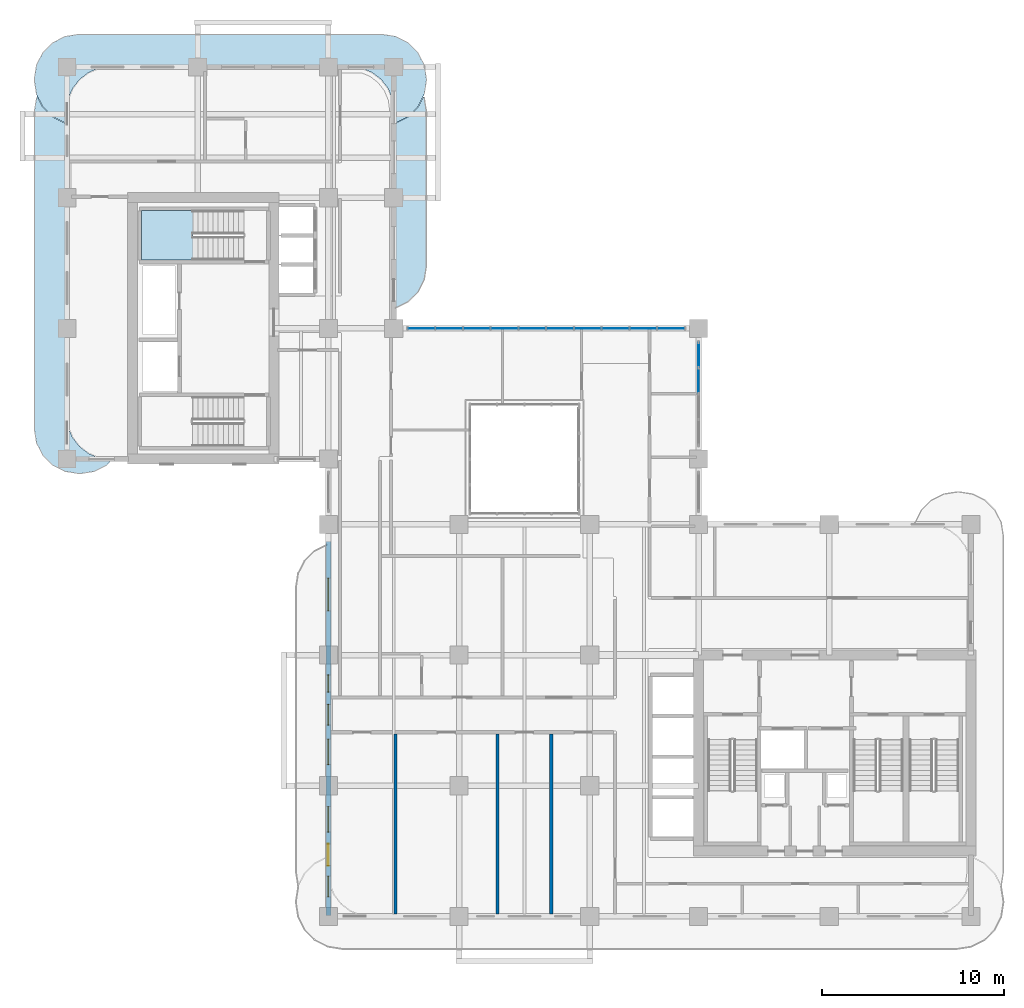
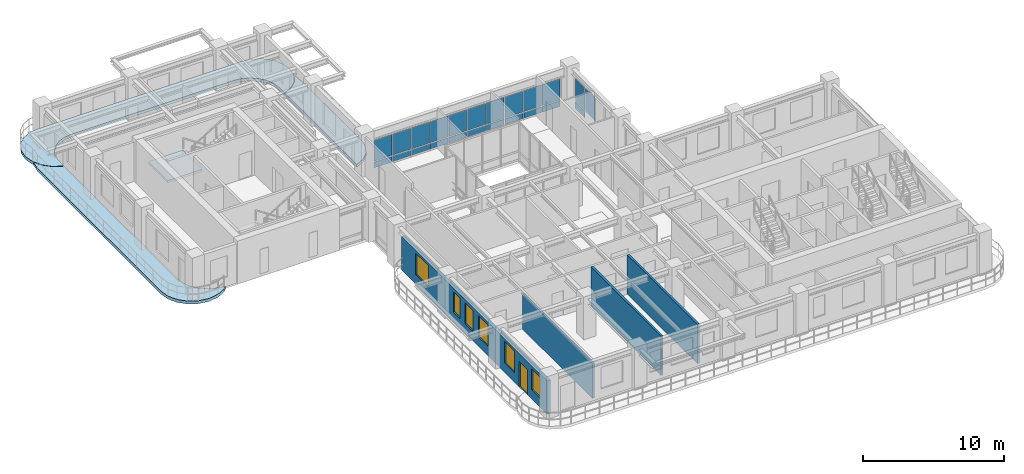
# One storey, part 10 of 21: 23 plates, 6 windows, 4 slabs, 4 walls, 1 door, 7 openings, 3 elements without a shape of their own.
"""IFC4 building model written with IfcOpenShell, lengths in metres."""

from ifc_helpers import new_model, si_unit, derived_unit, direction, frame, frame_2d, origin, origin_2d, place, context, subcontext, project, spatial, polyline, rectangle, outline, extrude, source, transform, mapped, material, layer, layer_set, type_object, type_shapes, element, fill, aggregate, save


model = new_model("IFC4")

# Units and contexts
model_context = context("Model", 3, precision=1e-05, world=origin(), true_north=direction((0.0, 1.0)))
body_context = subcontext(model_context, "Body", "Model", "MODEL_VIEW")
ifc_project = project(units=[si_unit("LENGTHUNIT", "METRE"), si_unit("AREAUNIT", "SQUARE_METRE"), si_unit("VOLUMEUNIT", "CUBIC_METRE"), si_unit("PLANEANGLEUNIT", "RADIAN"), si_unit("MASSUNIT", "GRAM", prefix="KILO"), si_unit("THERMODYNAMICTEMPERATUREUNIT", "KELVIN"), si_unit("POWERUNIT", "WATT"), derived_unit("THERMALTRANSMITTANCEUNIT", [(si_unit("POWERUNIT", "WATT"), 1), (si_unit("AREAUNIT", "SQUARE_METRE"), -1), (si_unit("THERMODYNAMICTEMPERATUREUNIT", "KELVIN"), -1)])], contexts=[model_context])

# Site, building, storey
site_placement = place(None, origin())
site = spatial("IfcSite", under=ifc_project, at=site_placement, CompositionType="ELEMENT")
building_placement = place(site_placement, origin())
building = spatial("IfcBuilding", under=site, at=building_placement, Name="Zahravan Archway Hotel and Residences", CompositionType="ELEMENT")
storey_placement = place(building_placement, frame((0.0, 0.0, 141.39990234375)))
storey = spatial("IfcBuildingStorey", under=building, at=storey_placement, Name="L35", CompositionType="ELEMENT", Elevation=141.39990234375)

# Slabs
ifc_material_1 = material(Name="Concrete C45/55", Category="concrete")
ifc_layer_1 = layer(ifc_material_1, 0.25, Name="Concrete C45/55", Category="concrete")
ifc_layer_set_1 = layer_set([ifc_layer_1], Name="Concrete C45/55")
slab_type_1 = type_object("IfcSlabType", Name="SLB-BALC-250", PredefinedType="FLOOR", material=ifc_layer_set_1)
slab_1_placement = place(storey_placement, frame((0.0, 0.0, -0.25)))
element("IfcSlab", 1, at=slab_1_placement, inside=storey, type_object=slab_type_1, Name="L35 Wing B North Rounded Balcony Band", PredefinedType="FLOOR", context=body_context, shape_type="SweptSolid", body=[
    extrude(outline(polyline([(-0.107177734375, 43.719970703125), (-0.7900390625, 44.06787109375), (-1.33203125, 44.60986328125), (-1.68017578125, 45.29296875), (-1.800048828125, 46.050048828125), (-1.800048828125, 46.14990234375), (-1.68017578125, 46.906982421875), (-1.33203125, 47.590087890625), (-0.7900390625, 48.132080078125), (-0.107177734375, 48.47998046875), (0.64990234375, 48.60009765625), (17.35009765625, 48.60009765625), (18.107177734375, 48.47998046875), (18.7900390625, 48.132080078125), (19.33203125, 47.590087890625), (19.68017578125, 46.906982421875), (19.800048828125, 46.14990234375), (19.800048828125, 46.050048828125), (19.68017578125, 45.29296875), (19.33203125, 44.60986328125), (18.7900390625, 44.06787109375), (18.107177734375, 43.719970703125), (18.02001953125, 43.7060546875), (18.02001953125, 44.39990234375), (18.019775390625, 44.402587890625), (17.93798828125, 45.023681640625), (17.937744140625, 45.025390625), (17.937255859375, 45.027099609375), (17.936767578125, 45.02880859375), (17.697021484375, 45.607666015625), (17.6962890625, 45.609130859375), (17.6953125, 45.610595703125), (17.6943359375, 45.6123046875), (17.31298828125, 46.109375), (17.311767578125, 46.110595703125), (17.310546875, 46.11181640625), (17.309326171875, 46.113037109375), (16.812255859375, 46.494384765625), (16.810791015625, 46.495361328125), (16.80908203125, 46.49609375), (16.8076171875, 46.4970703125), (16.22900390625, 46.73681640625), (16.227294921875, 46.7373046875), (16.2255859375, 46.73779296875), (16.223876953125, 46.738037109375), (15.6025390625, 46.81982421875), (15.60009765625, 46.820068359375), (2.39990234375, 46.820068359375), (2.3974609375, 46.81982421875), (1.776123046875, 46.738037109375), (1.7744140625, 46.73779296875), (1.772705078125, 46.7373046875), (1.77099609375, 46.73681640625), (1.1923828125, 46.4970703125), (1.19091796875, 46.49609375), (1.189208984375, 46.495361328125), (1.187744140625, 46.494384765625), (0.690673828125, 46.113037109375), (0.689453125, 46.11181640625), (0.688232421875, 46.110595703125), (0.68701171875, 46.109375), (0.3056640625, 45.6123046875), (0.3046875, 45.610595703125), (0.3037109375, 45.609130859375), (0.302978515625, 45.607666015625), (0.063232421875, 45.02880859375), (0.062744140625, 45.027099609375), (0.062255859375, 45.025390625), (0.06201171875, 45.023681640625), (-0.019775390625, 44.402587890625), (-0.02001953125, 44.39990234375), (-0.02001953125, 43.7060546875), (-0.107177734375, 43.719970703125)])), origin(), (0.0, 0.0, 1.0), 0.25),
])
slab_2_placement = place(storey_placement, frame((0.0, 0.0, -0.25)))
element("IfcSlab", 2, at=slab_2_placement, inside=storey, type_object=slab_type_1, Name="L35 Wing B West Rounded Balcony Band", PredefinedType="FLOOR", context=body_context, shape_type="SweptSolid", body=[
    extrude(outline(polyline([(2.190185546875, 24.867919921875), (1.507080078125, 24.52001953125), (0.75, 24.39990234375), (0.64990234375, 24.39990234375), (-0.107177734375, 24.52001953125), (-0.7900390625, 24.867919921875), (-1.33203125, 25.409912109375), (-1.68017578125, 26.093017578125), (-1.800048828125, 26.85009765625), (-1.800048828125, 44.35009765625), (-1.68017578125, 45.107177734375), (-1.64404296875, 45.177978515625), (-1.349853515625, 44.600830078125), (-1.348876953125, 44.59912109375), (-1.34765625, 44.597412109375), (-1.34619140625, 44.595703125), (-0.80419921875, 44.0537109375), (-0.802734375, 44.052490234375), (-0.801025390625, 44.051025390625), (-0.79931640625, 44.050048828125), (-0.1162109375, 43.7021484375), (-0.1142578125, 43.701171875), (-0.1123046875, 43.70068359375), (-0.110107421875, 43.7001953125), (-0.023193359375, 43.686279296875), (-0.021240234375, 43.68603515625), (-0.02001953125, 43.68603515625), (-0.02001953125, 27.60009765625), (-0.019775390625, 27.597412109375), (0.06201171875, 26.976318359375), (0.062255859375, 26.974609375), (0.062744140625, 26.972900390625), (0.063232421875, 26.97119140625), (0.302978515625, 26.392333984375), (0.3037109375, 26.390869140625), (0.3046875, 26.389404296875), (0.3056640625, 26.3876953125), (0.68701171875, 25.890625), (0.688232421875, 25.889404296875), (0.689453125, 25.88818359375), (0.690673828125, 25.886962890625), (1.187744140625, 25.505615234375), (1.189208984375, 25.504638671875), (1.19091796875, 25.50390625), (1.1923828125, 25.5029296875), (1.77099609375, 25.26318359375), (1.772705078125, 25.2626953125), (1.7744140625, 25.26220703125), (1.776123046875, 25.261962890625), (2.3974609375, 25.18017578125), (2.39990234375, 25.179931640625), (2.502197265625, 25.179931640625), (2.190185546875, 24.867919921875)])), origin(), (0.0, 0.0, 1.0), 0.25),
])
slab_3_placement = place(storey_placement, frame((0.0, 0.0, -0.25)))
element("IfcSlab", 3, at=slab_3_placement, inside=storey, type_object=slab_type_1, Name="L35 Wing B East Rounded Balcony Band", PredefinedType="FLOOR", context=body_context, shape_type="SweptSolid", body=[
    extrude(outline(polyline([(19.68017578125, 45.107177734375), (19.800048828125, 44.35009765625), (19.800048828125, 35.85009765625), (19.68017578125, 35.093017578125), (19.33203125, 34.409912109375), (18.7900390625, 33.867919921875), (18.107177734375, 33.52001953125), (18.02001953125, 33.506103515625), (18.02001953125, 43.68603515625), (18.021240234375, 43.68603515625), (18.023193359375, 43.686279296875), (18.110107421875, 43.7001953125), (18.1123046875, 43.70068359375), (18.1142578125, 43.701171875), (18.1162109375, 43.7021484375), (18.79931640625, 44.050048828125), (18.801025390625, 44.051025390625), (18.802734375, 44.052490234375), (18.80419921875, 44.0537109375), (19.34619140625, 44.595703125), (19.34765625, 44.597412109375), (19.348876953125, 44.59912109375), (19.349853515625, 44.600830078125), (19.64404296875, 45.177978515625), (19.68017578125, 45.107177734375)])), origin(), (0.0, 0.0, 1.0), 0.25),
])

# Stair, slab
ifc_material_2 = material(Name="Concrete C50/60", Category="concrete")
stair_type = type_object("IfcStairType", Name="STR-CORE-1300", PredefinedType="HALF_TURN_STAIR", material=ifc_material_2)
stair_placement = place(storey_placement, origin())
stair = element("IfcStair", 4, at=stair_placement, inside=storey, type_object=stair_type, Name="L35 Core B Exit Stair 2", PredefinedType="HALF_TURN_STAIR")
ifc_layer_2 = layer(ifc_material_2, 0.199951171875, Name="Concrete C50/60", Category="concrete")
ifc_layer_set_2 = layer_set([ifc_layer_2], Name="Concrete C50/60")
slab_type_2 = type_object("IfcSlabType", Name="SLB-LND-200", PredefinedType="LANDING", material=ifc_layer_set_2)
slab_4_placement = place(storey_placement, frame((0.0, 0.0, 1.650146484375)))
slab_4 = element("IfcSlab", 5, at=slab_4_placement, type_object=slab_type_2, Name="ST-B2 landing 1", PredefinedType="LANDING", context=body_context, shape_type="SweptSolid", body=[
    extrude(outline(polyline([(6.929931640625, 38.89990234375), (4.10009765625, 38.89990234375), (4.10009765625, 36.159912109375), (6.929931640625, 36.159912109375), (6.929931640625, 38.89990234375)])), origin(), (0.0, 0.0, 1.0), 0.199951171875),
])
aggregate(stair, [slab_4])

# Curtain wall, plates
ifc_material_3 = material(Name="Bronze-Anodized Unitised Aluminium & Low-E Glass", Category="aluminium")
ifc_layer_3 = layer(ifc_material_3, 0.179931640625, Name="Bronze-Anodized Unitised Aluminium & Low-E Glass", Category="aluminium")
ifc_layer_set_3 = layer_set([ifc_layer_3], Name="Bronze-Anodized Unitised Aluminium & Low-E Glass")
curtain_wall_type = type_object("IfcCurtainWallType", Name="CW-ATR-GLAZ", PredefinedType="NOTDEFINED", material=ifc_layer_set_3)
curtain_wall_1_placement = place(storey_placement, origin())
curtain_wall_1 = element("IfcCurtainWall", 6, at=curtain_wall_1_placement, inside=storey, type_object=curtain_wall_type, Name="L35 Curtain Wall CW-L35-HNG-E-2", PredefinedType="NOTDEFINED")
ifc_material_4 = material(Name="Insulated Terracotta Spandrel Panel", Category="masonry")
ifc_layer_4 = layer(ifc_material_4, 0.0400390625, Name="Insulated Terracotta Spandrel Panel", Category="masonry")
ifc_layer_set_4 = layer_set([ifc_layer_4], Name="Insulated Terracotta Spandrel Panel")
plate_type_1 = type_object("IfcPlateType", Name="CWP-SPN-40", PredefinedType="SHEET", material=ifc_layer_set_4)
shared_shape_1 = source(origin(), body_context, "Body", "SweptSolid", [
    extrude(rectangle(XDim=1.340087890625, YDim=0.0400390625, at=origin_2d()), origin(), (0.0, 0.0, 1.0), 0.552490234375),
])
plate_1_placement = place(storey_placement, frame((34.800048828125, 30.929931640625, 0.10009765625), z_axis=(0.0, 0.0, 1.0), x_axis=(0.0, 1.0, 0.0)))
plate_1 = element("IfcPlate", 7, at=plate_1_placement, type_object=plate_type_1, Name="CW-L35-HNG-E-2 Spandrel Panel 3", PredefinedType="SHEET", context=body_context, shape_type="MappedRepresentation", body=[
    mapped(shared_shape_1, transform((0.0, 0.0, 0.0), scale=1.0)),
])
ifc_material_5 = material(Name="Double-Silver Low-E Insulated Vision Glass", Category="glass")
ifc_layer_5 = layer(ifc_material_5, 0.028076171875, Name="Double-Silver Low-E Insulated Vision Glass", Category="glass")
ifc_layer_set_5 = layer_set([ifc_layer_5], Name="Double-Silver Low-E Insulated Vision Glass")
plate_type_2 = type_object("IfcPlateType", Name="CWP-GLZ-28", PredefinedType="CURTAIN_PANEL", material=ifc_layer_set_5)
shared_shape_2 = source(origin(), body_context, "Body", "SweptSolid", [
    extrude(rectangle(XDim=1.340087890625, YDim=0.028076171875, at=origin_2d()), origin(), (0.0, 0.0, 1.0), 2.052490234375),
])
plate_2_placement = place(storey_placement, frame((34.800048828125, 29.510009765625, 0.732421875), z_axis=(0.0, 0.0, 1.0), x_axis=(0.0, 1.0, 0.0)))
plate_2 = element("IfcPlate", 8, at=plate_2_placement, type_object=plate_type_2, Name="CW-L35-HNG-E-2 Low-E Vision Panel 2", PredefinedType="CURTAIN_PANEL", context=body_context, shape_type="MappedRepresentation", body=[
    mapped(shared_shape_2, transform((0.0, 0.0, 0.0), scale=1.0)),
])
plate_3_placement = place(storey_placement, frame((34.800048828125, 30.929931640625, 0.732421875), z_axis=(0.0, 0.0, 1.0), x_axis=(0.0, 1.0, 0.0)))
plate_3 = element("IfcPlate", 9, at=plate_3_placement, type_object=plate_type_2, Name="CW-L35-HNG-E-2 Low-E Vision Panel 3", PredefinedType="CURTAIN_PANEL", context=body_context, shape_type="MappedRepresentation", body=[
    mapped(shared_shape_2, transform((0.0, 0.0, 0.0), scale=1.0)),
])
aggregate(curtain_wall_1, [plate_2, plate_1, plate_3])

curtain_wall_2_placement = place(storey_placement, origin())
curtain_wall_2 = element("IfcCurtainWall", 10, at=curtain_wall_2_placement, inside=storey, type_object=curtain_wall_type, Name="L35 Curtain Wall CW-L35-HNG-N-1", PredefinedType="NOTDEFINED")
shared_shape_3 = source(origin(), body_context, "Body", "SweptSolid", [
    extrude(rectangle(XDim=1.447998046875, YDim=0.0400390625, at=origin_2d()), origin(), (0.0, 0.0, 1.0), 0.48046875),
])
plate_4_placement = place(storey_placement, frame((19.52392578125, 32.39990234375, 0.10009765625), z_axis=(0.0, 0.0, 1.0), x_axis=(1.0, 0.0, 0.0)))
plate_4 = element("IfcPlate", 11, at=plate_4_placement, type_object=plate_type_1, Name="CW-L35-HNG-N-1 Spandrel Panel 0", PredefinedType="SHEET", context=body_context, shape_type="MappedRepresentation", body=[
    mapped(shared_shape_3, transform((0.0, 0.0, 0.0), scale=1.0)),
])
plate_5_placement = place(storey_placement, frame((21.052001953125, 32.39990234375, 0.10009765625), z_axis=(0.0, 0.0, 1.0), x_axis=(1.0, 0.0, 0.0)))
plate_5 = element("IfcPlate", 12, at=plate_5_placement, type_object=plate_type_1, Name="CW-L35-HNG-N-1 Spandrel Panel 1", PredefinedType="SHEET", context=body_context, shape_type="MappedRepresentation", body=[
    mapped(shared_shape_3, transform((0.0, 0.0, 0.0), scale=1.0)),
])
plate_6_placement = place(storey_placement, frame((22.580078125, 32.39990234375, 0.10009765625), z_axis=(0.0, 0.0, 1.0), x_axis=(1.0, 0.0, 0.0)))
plate_6 = element("IfcPlate", 13, at=plate_6_placement, type_object=plate_type_1, Name="CW-L35-HNG-N-1 Spandrel Panel 2", PredefinedType="SHEET", context=body_context, shape_type="MappedRepresentation", body=[
    mapped(shared_shape_3, transform((0.0, 0.0, 0.0), scale=1.0)),
])
plate_7_placement = place(storey_placement, frame((24.10791015625, 32.39990234375, 0.10009765625), z_axis=(0.0, 0.0, 1.0), x_axis=(1.0, 0.0, 0.0)))
plate_7 = element("IfcPlate", 14, at=plate_7_placement, type_object=plate_type_1, Name="CW-L35-HNG-N-1 Spandrel Panel 3", PredefinedType="SHEET", context=body_context, shape_type="MappedRepresentation", body=[
    mapped(shared_shape_3, transform((0.0, 0.0, 0.0), scale=1.0)),
])
plate_8_placement = place(storey_placement, frame((25.635986328125, 32.39990234375, 0.10009765625), z_axis=(0.0, 0.0, 1.0), x_axis=(1.0, 0.0, 0.0)))
plate_8 = element("IfcPlate", 15, at=plate_8_placement, type_object=plate_type_1, Name="CW-L35-HNG-N-1 Spandrel Panel 4", PredefinedType="SHEET", context=body_context, shape_type="MappedRepresentation", body=[
    mapped(shared_shape_3, transform((0.0, 0.0, 0.0), scale=1.0)),
])
plate_9_placement = place(storey_placement, frame((27.1640625, 32.39990234375, 0.10009765625), z_axis=(0.0, 0.0, 1.0), x_axis=(1.0, 0.0, 0.0)))
plate_9 = element("IfcPlate", 16, at=plate_9_placement, type_object=plate_type_1, Name="CW-L35-HNG-N-1 Spandrel Panel 5", PredefinedType="SHEET", context=body_context, shape_type="MappedRepresentation", body=[
    mapped(shared_shape_3, transform((0.0, 0.0, 0.0), scale=1.0)),
])
plate_10_placement = place(storey_placement, frame((28.69189453125, 32.39990234375, 0.10009765625), z_axis=(0.0, 0.0, 1.0), x_axis=(1.0, 0.0, 0.0)))
plate_10 = element("IfcPlate", 17, at=plate_10_placement, type_object=plate_type_1, Name="CW-L35-HNG-N-1 Spandrel Panel 6", PredefinedType="SHEET", context=body_context, shape_type="MappedRepresentation", body=[
    mapped(shared_shape_3, transform((0.0, 0.0, 0.0), scale=1.0)),
])
plate_11_placement = place(storey_placement, frame((30.219970703125, 32.39990234375, 0.10009765625), z_axis=(0.0, 0.0, 1.0), x_axis=(1.0, 0.0, 0.0)))
plate_11 = element("IfcPlate", 18, at=plate_11_placement, type_object=plate_type_1, Name="CW-L35-HNG-N-1 Spandrel Panel 7", PredefinedType="SHEET", context=body_context, shape_type="MappedRepresentation", body=[
    mapped(shared_shape_3, transform((0.0, 0.0, 0.0), scale=1.0)),
])
plate_12_placement = place(storey_placement, frame((31.748046875, 32.39990234375, 0.10009765625), z_axis=(0.0, 0.0, 1.0), x_axis=(1.0, 0.0, 0.0)))
plate_12 = element("IfcPlate", 19, at=plate_12_placement, type_object=plate_type_1, Name="CW-L35-HNG-N-1 Spandrel Panel 8", PredefinedType="SHEET", context=body_context, shape_type="MappedRepresentation", body=[
    mapped(shared_shape_3, transform((0.0, 0.0, 0.0), scale=1.0)),
])
plate_13_placement = place(storey_placement, frame((33.27587890625, 32.39990234375, 0.10009765625), z_axis=(0.0, 0.0, 1.0), x_axis=(1.0, 0.0, 0.0)))
plate_13 = element("IfcPlate", 20, at=plate_13_placement, type_object=plate_type_1, Name="CW-L35-HNG-N-1 Spandrel Panel 9", PredefinedType="SHEET", context=body_context, shape_type="MappedRepresentation", body=[
    mapped(shared_shape_3, transform((0.0, 0.0, 0.0), scale=1.0)),
])
shared_shape_4 = source(origin(), body_context, "Body", "SweptSolid", [
    extrude(rectangle(XDim=1.447998046875, YDim=0.028076171875, at=origin_2d()), origin(), (0.0, 0.0, 1.0), 1.82470703125),
])
plate_14_placement = place(storey_placement, frame((19.52392578125, 32.39990234375, 0.660400390625), z_axis=(0.0, 0.0, 1.0), x_axis=(1.0, 0.0, 0.0)))
plate_14 = element("IfcPlate", 21, at=plate_14_placement, type_object=plate_type_2, Name="CW-L35-HNG-N-1 Low-E Vision Panel 0", PredefinedType="CURTAIN_PANEL", context=body_context, shape_type="MappedRepresentation", body=[
    mapped(shared_shape_4, transform((0.0, 0.0, 0.0), scale=1.0)),
])
plate_15_placement = place(storey_placement, frame((21.052001953125, 32.39990234375, 0.660400390625), z_axis=(0.0, 0.0, 1.0), x_axis=(1.0, 0.0, 0.0)))
plate_15 = element("IfcPlate", 22, at=plate_15_placement, type_object=plate_type_2, Name="CW-L35-HNG-N-1 Low-E Vision Panel 1", PredefinedType="CURTAIN_PANEL", context=body_context, shape_type="MappedRepresentation", body=[
    mapped(shared_shape_4, transform((0.0, 0.0, 0.0), scale=1.0)),
])
plate_16_placement = place(storey_placement, frame((22.580078125, 32.39990234375, 0.660400390625), z_axis=(0.0, 0.0, 1.0), x_axis=(1.0, 0.0, 0.0)))
plate_16 = element("IfcPlate", 23, at=plate_16_placement, type_object=plate_type_2, Name="CW-L35-HNG-N-1 Low-E Vision Panel 2", PredefinedType="CURTAIN_PANEL", context=body_context, shape_type="MappedRepresentation", body=[
    mapped(shared_shape_4, transform((0.0, 0.0, 0.0), scale=1.0)),
])
plate_17_placement = place(storey_placement, frame((24.10791015625, 32.39990234375, 0.660400390625), z_axis=(0.0, 0.0, 1.0), x_axis=(1.0, 0.0, 0.0)))
plate_17 = element("IfcPlate", 24, at=plate_17_placement, type_object=plate_type_2, Name="CW-L35-HNG-N-1 Low-E Vision Panel 3", PredefinedType="CURTAIN_PANEL", context=body_context, shape_type="MappedRepresentation", body=[
    mapped(shared_shape_4, transform((0.0, 0.0, 0.0), scale=1.0)),
])
plate_18_placement = place(storey_placement, frame((25.635986328125, 32.39990234375, 0.660400390625), z_axis=(0.0, 0.0, 1.0), x_axis=(1.0, 0.0, 0.0)))
plate_18 = element("IfcPlate", 25, at=plate_18_placement, type_object=plate_type_2, Name="CW-L35-HNG-N-1 Low-E Vision Panel 4", PredefinedType="CURTAIN_PANEL", context=body_context, shape_type="MappedRepresentation", body=[
    mapped(shared_shape_4, transform((0.0, 0.0, 0.0), scale=1.0)),
])
plate_19_placement = place(storey_placement, frame((27.1640625, 32.39990234375, 0.660400390625), z_axis=(0.0, 0.0, 1.0), x_axis=(1.0, 0.0, 0.0)))
plate_19 = element("IfcPlate", 26, at=plate_19_placement, type_object=plate_type_2, Name="CW-L35-HNG-N-1 Low-E Vision Panel 5", PredefinedType="CURTAIN_PANEL", context=body_context, shape_type="MappedRepresentation", body=[
    mapped(shared_shape_4, transform((0.0, 0.0, 0.0), scale=1.0)),
])
plate_20_placement = place(storey_placement, frame((28.69189453125, 32.39990234375, 0.660400390625), z_axis=(0.0, 0.0, 1.0), x_axis=(1.0, 0.0, 0.0)))
plate_20 = element("IfcPlate", 27, at=plate_20_placement, type_object=plate_type_2, Name="CW-L35-HNG-N-1 Low-E Vision Panel 6", PredefinedType="CURTAIN_PANEL", context=body_context, shape_type="MappedRepresentation", body=[
    mapped(shared_shape_4, transform((0.0, 0.0, 0.0), scale=1.0)),
])
plate_21_placement = place(storey_placement, frame((30.219970703125, 32.39990234375, 0.660400390625), z_axis=(0.0, 0.0, 1.0), x_axis=(1.0, 0.0, 0.0)))
plate_21 = element("IfcPlate", 28, at=plate_21_placement, type_object=plate_type_2, Name="CW-L35-HNG-N-1 Low-E Vision Panel 7", PredefinedType="CURTAIN_PANEL", context=body_context, shape_type="MappedRepresentation", body=[
    mapped(shared_shape_4, transform((0.0, 0.0, 0.0), scale=1.0)),
])
plate_22_placement = place(storey_placement, frame((31.748046875, 32.39990234375, 0.660400390625), z_axis=(0.0, 0.0, 1.0), x_axis=(1.0, 0.0, 0.0)))
plate_22 = element("IfcPlate", 29, at=plate_22_placement, type_object=plate_type_2, Name="CW-L35-HNG-N-1 Low-E Vision Panel 8", PredefinedType="CURTAIN_PANEL", context=body_context, shape_type="MappedRepresentation", body=[
    mapped(shared_shape_4, transform((0.0, 0.0, 0.0), scale=1.0)),
])
plate_23_placement = place(storey_placement, frame((33.27587890625, 32.39990234375, 0.660400390625), z_axis=(0.0, 0.0, 1.0), x_axis=(1.0, 0.0, 0.0)))
plate_23 = element("IfcPlate", 30, at=plate_23_placement, type_object=plate_type_2, Name="CW-L35-HNG-N-1 Low-E Vision Panel 9", PredefinedType="CURTAIN_PANEL", context=body_context, shape_type="MappedRepresentation", body=[
    mapped(shared_shape_4, transform((0.0, 0.0, 0.0), scale=1.0)),
])
aggregate(curtain_wall_2, [plate_4, plate_14, plate_5, plate_15, plate_6, plate_16, plate_7, plate_17, plate_8, plate_18, plate_9, plate_19, plate_10, plate_20, plate_11, plate_21, plate_12, plate_22, plate_13, plate_23])

# Wall, openings, door, windows
ifc_material_6 = material(Name="Honed Red-Ochre Sandstone & Insulated Block", Category="masonry")
ifc_layer_6 = layer(ifc_material_6, 0.280029296875, Name="Honed Red-Ochre Sandstone & Insulated Block", Category="masonry")
ifc_layer_set_6 = layer_set([ifc_layer_6], Name="Honed Red-Ochre Sandstone & Insulated Block")
wall_type_1 = type_object("IfcWallType", Name="EW-LOG-280", PredefinedType="SOLIDWALL", material=ifc_layer_set_6)
wall_1_placement = place(storey_placement, frame((14.39990234375, 0.050048828125, 0.0), z_axis=(0.0, 0.0, 1.0), x_axis=(0.0, 1.0, 0.0)))
wall_1 = element("IfcWall", 31, at=wall_1_placement, inside=storey, type_object=wall_type_1, Name="L35 Exterior Sandstone Wall WA-WL", PredefinedType="SOLIDWALL", context=body_context, shape_type="SweptSolid", body=[
    extrude(rectangle(XDim=20.599853515625, YDim=0.280029296875, at=frame_2d((10.2998046875, 0.0))), origin(), (0.0, 0.0, 1.0), 2.885009765625),
])
opening_1_placement = place(wall_1_placement, frame((2.75, 0.0, 0.0)))
opening_1 = element("IfcOpeningElement", 32, at=opening_1_placement, cuts=wall_1, Name="Opening ED-BL1", PredefinedType="OPENING", context=body_context, shape_type="SweptSolid", body=[
    extrude(rectangle(XDim=1.199951171875, YDim=2.199951171875, at=frame_2d((0.60009765625, 1.10009765625))), frame((0.0, 0.14990234375, 0.0), z_axis=(0.0, -1.0, 0.0), x_axis=(1.0, 0.0, 0.0)), (0.0, 0.0, 1.0), 0.300048828125),
])
opening_2_placement = place(wall_1_placement, frame((1.02490234375, 0.0, 0.800048828125)))
opening_2 = element("IfcOpeningElement", 33, at=opening_2_placement, cuts=wall_1, Name="Opening W-05", PredefinedType="OPENING", context=body_context, shape_type="SweptSolid", body=[
    extrude(rectangle(XDim=1.14990234375, YDim=1.800048828125, at=frame_2d((0.574951171875, 0.89990234375))), frame((0.0, 0.14990234375, 0.0), z_axis=(0.0, -1.0, 0.0), x_axis=(1.0, 0.0, 0.0)), (0.0, 0.0, 1.0), 0.300048828125),
])
opening_3_placement = place(wall_1_placement, frame((4.60009765625, 0.0, 0.800048828125)))
opening_3 = element("IfcOpeningElement", 34, at=opening_3_placement, cuts=wall_1, Name="Opening W-03", PredefinedType="OPENING", context=body_context, shape_type="SweptSolid", body=[
    extrude(rectangle(XDim=1.39990234375, YDim=1.85009765625, at=frame_2d((0.699951171875, 0.925048828125))), frame((0.0, 0.14990234375, 0.0), z_axis=(0.0, -1.0, 0.0), x_axis=(1.0, 0.0, 0.0)), (0.0, 0.0, 1.0), 0.300048828125),
])
opening_4_placement = place(wall_1_placement, frame((8.321044921875, 0.0, 0.800048828125)))
opening_4 = element("IfcOpeningElement", 35, at=opening_4_placement, cuts=wall_1, Name="Opening W-03", PredefinedType="OPENING", context=body_context, shape_type="SweptSolid", body=[
    extrude(rectangle(XDim=1.39990234375, YDim=1.85009765625, at=frame_2d((0.699951171875, 0.925048828125))), frame((0.0, 0.14990234375, 0.0), z_axis=(0.0, -1.0, 0.0), x_axis=(1.0, 0.0, 0.0)), (0.0, 0.0, 1.0), 0.300048828125),
])
opening_5_placement = place(wall_1_placement, frame((10.485107421875, 0.0, 0.800048828125)))
opening_5 = element("IfcOpeningElement", 36, at=opening_5_placement, cuts=wall_1, Name="Opening W-05", PredefinedType="OPENING", context=body_context, shape_type="SweptSolid", body=[
    extrude(rectangle(XDim=1.14990234375, YDim=1.800048828125, at=frame_2d((0.574951171875, 0.89990234375))), frame((0.0, 0.14990234375, 0.0), z_axis=(0.0, -1.0, 0.0), x_axis=(1.0, 0.0, 0.0)), (0.0, 0.0, 1.0), 0.300048828125),
])
opening_6_placement = place(wall_1_placement, frame((12.31396484375, 0.0, 0.800048828125)))
opening_6 = element("IfcOpeningElement", 37, at=opening_6_placement, cuts=wall_1, Name="Opening W-04", PredefinedType="OPENING", context=body_context, shape_type="SweptSolid", body=[
    extrude(rectangle(XDim=0.949951171875, YDim=1.75, at=frame_2d((0.47509765625, 0.875))), frame((0.0, 0.14990234375, 0.0), z_axis=(0.0, -1.0, 0.0), x_axis=(1.0, 0.0, 0.0)), (0.0, 0.0, 1.0), 0.300048828125),
])
opening_7_placement = place(wall_1_placement, frame((16.7900390625, 0.0, 0.800048828125)))
opening_7 = element("IfcOpeningElement", 38, at=opening_7_placement, cuts=wall_1, Name="Opening W-02", PredefinedType="OPENING", context=body_context, shape_type="SweptSolid", body=[
    extrude(rectangle(XDim=1.800048828125, YDim=1.85009765625, at=frame_2d((0.89990234375, 0.925048828125))), frame((0.0, 0.14990234375, 0.0), z_axis=(0.0, -1.0, 0.0), x_axis=(1.0, 0.0, 0.0)), (0.0, 0.0, 1.0), 0.300048828125),
])
ifc_material_7 = material(Name="Bronze-Anodized Glazed Aluminium", Category="aluminium")
door_type = type_object("IfcDoorType", Name="ED-BALC-1200", OperationType="SLIDING_TO_LEFT", PredefinedType="DOOR", material=ifc_material_7)
shared_shape_5 = source(origin(), body_context, "Body", "SweptSolid", [
    extrude(rectangle(XDim=1.199951171875, YDim=2.199951171875, at=frame_2d((0.60009765625, 1.10009765625))), frame((0.0, 0.02490234375, 0.0), z_axis=(0.0, -1.0, 0.0), x_axis=(1.0, 0.0, 0.0)), (0.0, 0.0, 1.0), 0.050048828125),
])
type_shapes(door_type, [shared_shape_5])
door_placement = place(opening_1_placement, origin())
door = element("IfcDoor", 39, at=door_placement, inside=storey, type_object=door_type, Name="L35 Outdoor Access Sliding Door (SLB-BAL-L35-WA)", OperationType="SLIDING_TO_LEFT", OverallHeight=2.199951171875, OverallWidth=1.199951171875, PredefinedType="DOOR", context=body_context, shape_type="MappedRepresentation", body=[
    mapped(shared_shape_5, transform((0.0, 0.0, 0.0), scale=1.0)),
])
fill(opening_1, door)
ifc_material_8 = material(Name="Bronze-Anodized Thermal-Break Aluminium & Low-E Glass", Category="aluminium")
window_type_1 = type_object("IfcWindowType", Name="WIN-TWR-1400", PartitioningType="SINGLE_PANEL", PredefinedType="WINDOW", material=ifc_material_8)
shared_shape_6 = source(origin(), body_context, "Body", "SweptSolid", [
    extrude(rectangle(XDim=1.39990234375, YDim=1.85009765625, at=frame_2d((0.699951171875, 0.925048828125))), frame((0.0, 0.030029296875, 0.0), z_axis=(0.0, -1.0, 0.0), x_axis=(1.0, 0.0, 0.0)), (0.0, 0.0, 1.0), 0.06005859375),
])
type_shapes(window_type_1, [shared_shape_6])
window_1_placement = place(opening_3_placement, origin())
window_1 = element("IfcWindow", 40, at=window_1_placement, inside=storey, type_object=window_type_1, Name="L35 Loggia Window 16", OverallHeight=1.85009765625, OverallWidth=1.39990234375, PartitioningType="SINGLE_PANEL", PredefinedType="WINDOW", context=body_context, shape_type="MappedRepresentation", body=[
    mapped(shared_shape_6, transform((0.0, 0.0, 0.0), scale=1.0)),
])
fill(opening_3, window_1)
window_2_placement = place(opening_4_placement, origin())
window_2 = element("IfcWindow", 41, at=window_2_placement, inside=storey, type_object=window_type_1, Name="L35 Loggia Window 17", OverallHeight=1.85009765625, OverallWidth=1.39990234375, PartitioningType="SINGLE_PANEL", PredefinedType="WINDOW", context=body_context, shape_type="MappedRepresentation", body=[
    mapped(shared_shape_6, transform((0.0, 0.0, 0.0), scale=1.0)),
])
fill(opening_4, window_2)
window_type_2 = type_object("IfcWindowType", Name="WIN-NAR-950", PartitioningType="SINGLE_PANEL", PredefinedType="WINDOW", material=ifc_material_8)
shared_shape_7 = source(origin(), body_context, "Body", "SweptSolid", [
    extrude(rectangle(XDim=0.949951171875, YDim=1.75, at=frame_2d((0.47509765625, 0.875))), frame((0.0, 0.030029296875, 0.0), z_axis=(0.0, -1.0, 0.0), x_axis=(1.0, 0.0, 0.0)), (0.0, 0.0, 1.0), 0.06005859375),
])
type_shapes(window_type_2, [shared_shape_7])
window_3_placement = place(opening_6_placement, origin())
window_3 = element("IfcWindow", 42, at=window_3_placement, inside=storey, type_object=window_type_2, Name="L35 Loggia Window 19", OverallHeight=1.75, OverallWidth=0.949951171875, PartitioningType="SINGLE_PANEL", PredefinedType="WINDOW", context=body_context, shape_type="MappedRepresentation", body=[
    mapped(shared_shape_7, transform((0.0, 0.0, 0.0), scale=1.0)),
])
fill(opening_6, window_3)
window_type_3 = type_object("IfcWindowType", Name="WIN-TWR-1800", PartitioningType="DOUBLE_PANEL_VERTICAL", PredefinedType="WINDOW", material=ifc_material_8)
shared_shape_8 = source(origin(), body_context, "Body", "SweptSolid", [
    extrude(rectangle(XDim=1.800048828125, YDim=1.85009765625, at=frame_2d((0.89990234375, 0.925048828125))), frame((0.0, 0.030029296875, 0.0), z_axis=(0.0, -1.0, 0.0), x_axis=(1.0, 0.0, 0.0)), (0.0, 0.0, 1.0), 0.06005859375),
])
type_shapes(window_type_3, [shared_shape_8])
window_4_placement = place(opening_7_placement, origin())
window_4 = element("IfcWindow", 43, at=window_4_placement, inside=storey, type_object=window_type_3, Name="L35 Loggia Window 20", OverallHeight=1.85009765625, OverallWidth=1.800048828125, PartitioningType="DOUBLE_PANEL_VERTICAL", PredefinedType="WINDOW", context=body_context, shape_type="MappedRepresentation", body=[
    mapped(shared_shape_8, transform((0.0, 0.0, 0.0), scale=1.0)),
])
fill(opening_7, window_4)
window_type_4 = type_object("IfcWindowType", Name="WIN-TWR-1150", PartitioningType="SINGLE_PANEL", PredefinedType="WINDOW", material=ifc_material_8)
shared_shape_9 = source(origin(), body_context, "Body", "SweptSolid", [
    extrude(rectangle(XDim=1.14990234375, YDim=1.800048828125, at=frame_2d((0.574951171875, 0.89990234375))), frame((0.0, 0.030029296875, 0.0), z_axis=(0.0, -1.0, 0.0), x_axis=(1.0, 0.0, 0.0)), (0.0, 0.0, 1.0), 0.06005859375),
])
type_shapes(window_type_4, [shared_shape_9])
window_5_placement = place(opening_2_placement, origin())
window_5 = element("IfcWindow", 44, at=window_5_placement, inside=storey, type_object=window_type_4, Name="L35 Loggia Window 15", OverallHeight=1.800048828125, OverallWidth=1.14990234375, PartitioningType="SINGLE_PANEL", PredefinedType="WINDOW", context=body_context, shape_type="MappedRepresentation", body=[
    mapped(shared_shape_9, transform((0.0, 0.0, 0.0), scale=1.0)),
])
fill(opening_2, window_5)
window_6_placement = place(opening_5_placement, origin())
window_6 = element("IfcWindow", 45, at=window_6_placement, inside=storey, type_object=window_type_4, Name="L35 Loggia Window 18", OverallHeight=1.800048828125, OverallWidth=1.14990234375, PartitioningType="SINGLE_PANEL", PredefinedType="WINDOW", context=body_context, shape_type="MappedRepresentation", body=[
    mapped(shared_shape_9, transform((0.0, 0.0, 0.0), scale=1.0)),
])
fill(opening_5, window_6)

# Walls
ifc_material_9 = material(Name="Acoustic Stud Partition")
ifc_layer_7 = layer(ifc_material_9, 0.169921875, Name="Acoustic Stud Partition")
ifc_layer_set_7 = layer_set([ifc_layer_7], Name="Acoustic Stud Partition")
wall_type_2 = type_object("IfcWallType", Name="PW-UNIT-170", PredefinedType="PARTITIONING", material=ifc_layer_set_7)
wall_2_placement = place(storey_placement, frame((18.10009765625, 0.14794921875, 0.0), z_axis=(0.0, 0.0, 1.0), x_axis=(0.0, 1.0, 0.0)))
element("IfcWall", 46, at=wall_2_placement, inside=storey, type_object=wall_type_2, Name="L35 Partition WAS-M4-1", PredefinedType="PARTITIONING", context=body_context, shape_type="SweptSolid", body=[
    extrude(rectangle(XDim=9.912109375, YDim=0.169921875, at=frame_2d((4.9560546875, 0.0))), origin(), (0.0, 0.0, 1.0), 3.05517578125),
])
for number, where, z_axis, x_axis, name in (
    (47, (23.719970703125, 0.14794921875, 0.0), (0.0, 0.0, 1.0), (0.0, 1.0, 0.0), "L35 Partition WAS-M4-2"),
    (48, (26.679931640625, 0.14794921875, 0.0), (0.0, 0.0, 1.0), (0.0, 1.0, 0.0), "L35 Partition WAS-M4-3"),
):
    element("IfcWall", number, at=place(storey_placement, frame(where, z_axis=z_axis, x_axis=x_axis)), inside=storey, type_object=wall_type_2, Name=name, PredefinedType="PARTITIONING", context=body_context, shape_type="SweptSolid", body=[
        extrude(rectangle(XDim=9.912109375, YDim=0.169921875, at=frame_2d((4.9560546875, 0.0))), origin(), (0.0, 0.0, 1.0), 3.400146484375),
    ])

save(model, "model.ifc")
